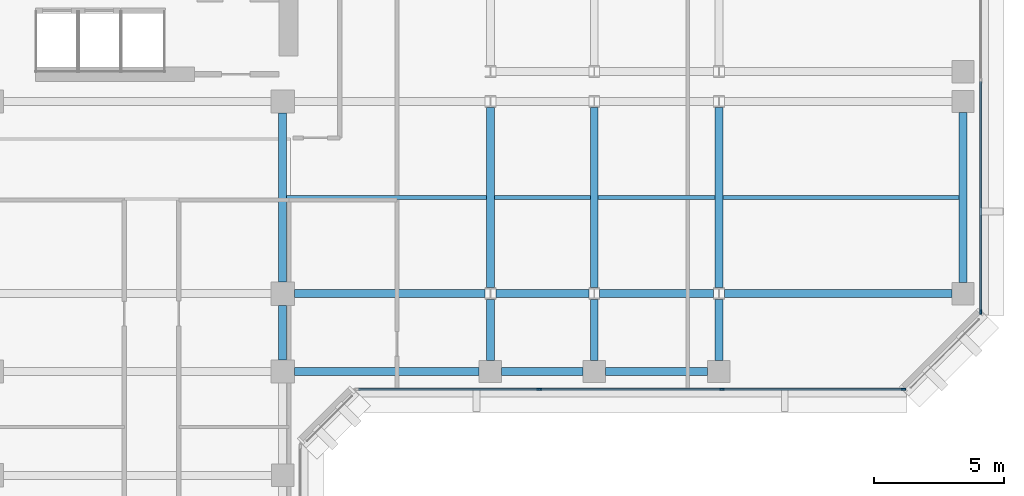
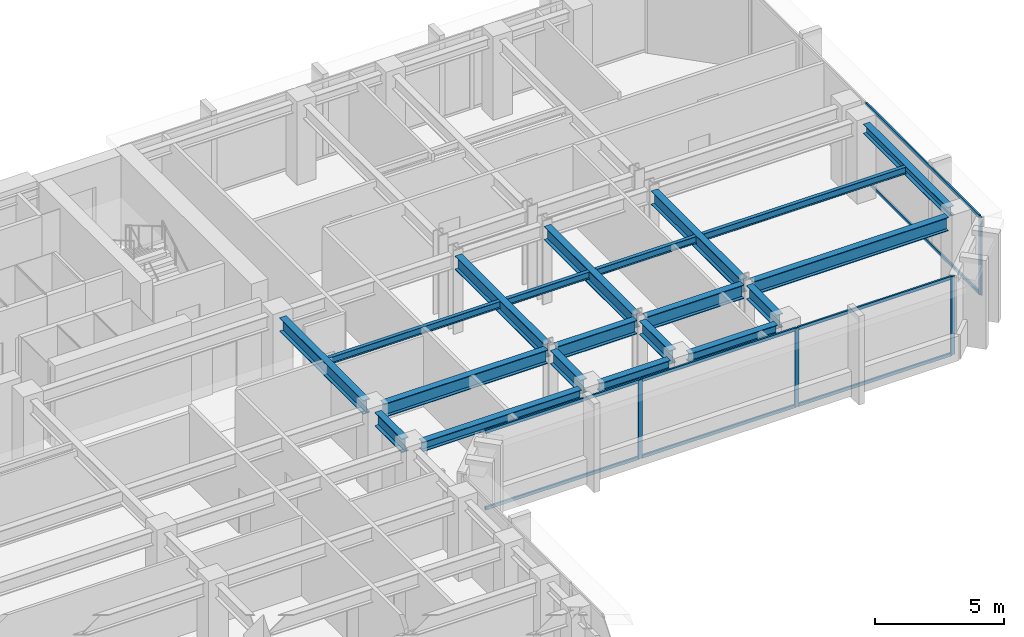
# One storey, part 3 of 11: 20 beams, 12 members, 2 elements without a shape of their own.
"""IFC4 building model written with IfcOpenShell, lengths in metres."""

from ifc_helpers import new_model, si_unit, direction, frame, origin, origin_2d, place, context, subcontext, project, spatial, rectangle, i_section, extrude, material, layer, layer_set, material_profile, profile_set, type_object, element, aggregate, save


model = new_model("IFC4")

# Units and contexts
model_context = context("Model", 3, precision=1e-05, world=origin(), true_north=direction((0.0, 1.0)))
body_context = subcontext(model_context, "Body", "Model", "MODEL_VIEW")
ifc_project = project(units=[si_unit("LENGTHUNIT", "METRE"), si_unit("AREAUNIT", "SQUARE_METRE"), si_unit("VOLUMEUNIT", "CUBIC_METRE"), si_unit("PLANEANGLEUNIT", "RADIAN"), si_unit("MASSUNIT", "GRAM", prefix="KILO")], contexts=[model_context])

# Site, building, storey
site_placement = place(None, origin())
site = spatial("IfcSite", under=ifc_project, at=site_placement, CompositionType="ELEMENT")
building_placement = place(site_placement, origin())
building = spatial("IfcBuilding", under=site, at=building_placement, Name="Kefirva Bronze Tower", CompositionType="ELEMENT")
storey_placement = place(building_placement, frame((0.0, 0.0, 183.47998046875)))
storey = spatial("IfcBuildingStorey", under=building, at=storey_placement, Name="L44", CompositionType="ELEMENT", Elevation=183.47998046875)

# Curtain wall, members
ifc_material_1 = material(Name="Bronze anodised aluminium", Category="aluminium")
ifc_layer = layer(ifc_material_1, 0.199951171875, Name="Bronze anodised aluminium")
ifc_layer_set = layer_set([ifc_layer], Name="Bronze anodised aluminium")
curtain_wall_type = type_object("IfcCurtainWallType", Name="Unitised Bronze Ribbon Curtain Wall Zone 2", PredefinedType="USERDEFINED", material=ifc_layer_set)
curtain_wall_1_placement = place(storey_placement, origin())
curtain_wall_1 = element("IfcCurtainWall", 1, at=curtain_wall_1_placement, inside=storey, type_object=curtain_wall_type, Name="L44 Curtain Wall 2", ObjectType="UNITISED CURTAIN WALL", PredefinedType="USERDEFINED")
ifc_material_profile_1 = material_profile(ifc_material_1, rectangle(XDim=0.074951171875, YDim=0.179931640625, at=origin_2d()), Name="ALU 75x180")
ifc_profile_set_1 = profile_set([ifc_material_profile_1], Name="Bronze anodised aluminium")
member_type_1 = type_object("IfcMemberType", Name="Bronze Mullion 75x180", PredefinedType="MULLION", material=ifc_profile_set_1)
member_1_placement = place(storey_placement, frame((33.0849609375, 22.1201171875, 0.0), z_axis=(0.0, 0.0, 1.0), x_axis=(0.0, 1.0, 0.0)))
member_1 = element("IfcMember", 2, at=member_1_placement, type_object=member_type_1, Name="CW-02 mullion 2", PredefinedType="MULLION", context=body_context, shape_type="SweptSolid", body=[
    extrude(rectangle(XDim=0.074951171875, YDim=0.179931640625, at=origin_2d()), origin(), (0.0, 0.0, 1.0), 3.7099609375),
])
member_2_placement = place(storey_placement, frame((40.114990234375, 22.1201171875, 0.0), z_axis=(0.0, 0.0, 1.0), x_axis=(0.0, 1.0, 0.0)))
member_2 = element("IfcMember", 3, at=member_2_placement, type_object=member_type_1, Name="CW-02 mullion 3", PredefinedType="MULLION", context=body_context, shape_type="SweptSolid", body=[
    extrude(rectangle(XDim=0.074951171875, YDim=0.179931640625, at=origin_2d()), origin(), (0.0, 0.0, 1.0), 3.7099609375),
])
member_3_placement = place(storey_placement, frame((47.107421875, 22.1201171875, 0.0), z_axis=(0.0, 0.0, 1.0), x_axis=(0.0, 1.0, 0.0)))
member_3 = element("IfcMember", 4, at=member_3_placement, type_object=member_type_1, Name="CW-02 mullion 4", PredefinedType="MULLION", context=body_context, shape_type="SweptSolid", body=[
    extrude(rectangle(XDim=0.074951171875, YDim=0.179931640625, at=origin_2d()), origin(), (0.0, 0.0, 1.0), 3.7099609375),
])

# Curtain wall, member
curtain_wall_2_placement = place(storey_placement, origin())
curtain_wall_2 = element("IfcCurtainWall", 5, at=curtain_wall_2_placement, inside=storey, type_object=curtain_wall_type, Name="L44 Curtain Wall 3", ObjectType="UNITISED CURTAIN WALL", PredefinedType="USERDEFINED")
member_4_placement = place(storey_placement, frame((50.080078125, 25.092529296875, 0.0), z_axis=(0.0, 0.0, 1.0), x_axis=(-1.0, 0.0, 0.0)))
member_4 = element("IfcMember", 6, at=member_4_placement, type_object=member_type_1, Name="CW-02 mullion 1", PredefinedType="MULLION", context=body_context, shape_type="SweptSolid", body=[
    extrude(rectangle(XDim=0.074951171875, YDim=0.179931640625, at=origin_2d()), origin(), (0.0, 0.0, 1.0), 3.7099609375),
])

# Member
ifc_material_profile_2 = material_profile(ifc_material_1, rectangle(XDim=0.074951171875, YDim=0.14990234375, at=origin_2d()), Name="ALU 75x150")
ifc_profile_set_2 = profile_set([ifc_material_profile_2], Name="Bronze anodised aluminium")
member_type_2 = type_object("IfcMemberType", Name="Bronze Transom 75x150", PredefinedType="USERDEFINED", material=ifc_profile_set_2)
member_5_placement = place(storey_placement, frame((26.1298828125, 22.1201171875, 0.03759765625), z_axis=(1.0, 0.0, 0.0), x_axis=(0.0, 1.0, 0.0)))
member_5 = element("IfcMember", 7, at=member_5_placement, type_object=member_type_2, Name="CW-02 transom 1.1", ObjectType="TRANSOM", PredefinedType="USERDEFINED", context=body_context, shape_type="SweptSolid", body=[
    extrude(rectangle(XDim=0.074951171875, YDim=0.14990234375, at=origin_2d()), origin(), (0.0, 0.0, 1.0), 6.917724609375),
])

member_6_placement = place(storey_placement, frame((26.1298828125, 22.1201171875, 3.672607421875), z_axis=(1.0, 0.0, 0.0), x_axis=(0.0, 1.0, 0.0)))
member_6 = element("IfcMember", 8, at=member_6_placement, type_object=member_type_2, Name="CW-02 transom 1.2", ObjectType="TRANSOM", PredefinedType="USERDEFINED", context=body_context, shape_type="SweptSolid", body=[
    extrude(rectangle(XDim=0.074951171875, YDim=0.14990234375, at=origin_2d()), origin(), (0.0, 0.0, 1.0), 6.917724609375),
])

member_7_placement = place(storey_placement, frame((33.12255859375, 22.1201171875, 0.03759765625), z_axis=(1.0, 0.0, 0.0), x_axis=(0.0, 1.0, 0.0)))
member_7 = element("IfcMember", 9, at=member_7_placement, type_object=member_type_2, Name="CW-02 transom 2.1", ObjectType="TRANSOM", PredefinedType="USERDEFINED", context=body_context, shape_type="SweptSolid", body=[
    extrude(rectangle(XDim=0.074951171875, YDim=0.14990234375, at=origin_2d()), origin(), (0.0, 0.0, 1.0), 6.954833984375),
])

member_8_placement = place(storey_placement, frame((33.12255859375, 22.1201171875, 3.672607421875), z_axis=(1.0, 0.0, 0.0), x_axis=(0.0, 1.0, 0.0)))
member_8 = element("IfcMember", 10, at=member_8_placement, type_object=member_type_2, Name="CW-02 transom 2.2", ObjectType="TRANSOM", PredefinedType="USERDEFINED", context=body_context, shape_type="SweptSolid", body=[
    extrude(rectangle(XDim=0.074951171875, YDim=0.14990234375, at=origin_2d()), origin(), (0.0, 0.0, 1.0), 6.954833984375),
])

member_9_placement = place(storey_placement, frame((40.152587890625, 22.1201171875, 0.03759765625), z_axis=(1.0, 0.0, 0.0), x_axis=(0.0, 1.0, 0.0)))
member_9 = element("IfcMember", 11, at=member_9_placement, type_object=member_type_2, Name="CW-02 transom 3.1", ObjectType="TRANSOM", PredefinedType="USERDEFINED", context=body_context, shape_type="SweptSolid", body=[
    extrude(rectangle(XDim=0.074951171875, YDim=0.14990234375, at=origin_2d()), origin(), (0.0, 0.0, 1.0), 6.91748046875),
])

member_10_placement = place(storey_placement, frame((40.152587890625, 22.1201171875, 3.672607421875), z_axis=(1.0, 0.0, 0.0), x_axis=(0.0, 1.0, 0.0)))
member_10 = element("IfcMember", 12, at=member_10_placement, type_object=member_type_2, Name="CW-02 transom 3.2", ObjectType="TRANSOM", PredefinedType="USERDEFINED", context=body_context, shape_type="SweptSolid", body=[
    extrude(rectangle(XDim=0.074951171875, YDim=0.14990234375, at=origin_2d()), origin(), (0.0, 0.0, 1.0), 6.91748046875),
])

aggregate(curtain_wall_1, [member_1, member_2, member_3, member_5, member_6, member_7, member_8, member_9, member_10])

member_11_placement = place(storey_placement, frame((50.080078125, 25.1298828125, 0.03759765625), z_axis=(0.0, 1.0, 0.0), x_axis=(-1.0, 0.0, 0.0)))
member_11 = element("IfcMember", 13, at=member_11_placement, type_object=member_type_2, Name="CW-02 transom 1.1", ObjectType="TRANSOM", PredefinedType="USERDEFINED", context=body_context, shape_type="SweptSolid", body=[
    extrude(rectangle(XDim=0.074951171875, YDim=0.14990234375, at=origin_2d()), origin(), (0.0, 0.0, 1.0), 8.83251953125),
])

member_12_placement = place(storey_placement, frame((50.080078125, 25.1298828125, 3.672607421875), z_axis=(0.0, 1.0, 0.0), x_axis=(-1.0, 0.0, 0.0)))
member_12 = element("IfcMember", 14, at=member_12_placement, type_object=member_type_2, Name="CW-02 transom 1.2", ObjectType="TRANSOM", PredefinedType="USERDEFINED", context=body_context, shape_type="SweptSolid", body=[
    extrude(rectangle(XDim=0.074951171875, YDim=0.14990234375, at=origin_2d()), origin(), (0.0, 0.0, 1.0), 8.83251953125),
])

aggregate(curtain_wall_2, [member_4, member_11, member_12])

# Beams
ifc_material_2 = material(Name="Steel S355", Category="steel")
ifc_material_profile_3 = material_profile(ifc_material_2, i_section(OverallWidth=0.159912109375, OverallDepth=0.330078125, WebThickness=0.007568359375, FlangeThickness=0.011474609375, at=origin_2d()), Name="IPE 330")
ifc_profile_set_3 = profile_set([ifc_material_profile_3], Name="Steel S355")
beam_type_1 = type_object("IfcBeamType", Name="Steel Floor Joist IPE 330", PredefinedType="JOIST", material=ifc_profile_set_3)
beam_1_placement = place(storey_placement, frame((23.35009765625, 29.5, 3.544921875), z_axis=(1.0, 0.0, 0.0), x_axis=(0.0, 1.0, 0.0)))
element("IfcBeam", 15, at=beam_1_placement, inside=storey, type_object=beam_type_1, Name="L44 JST-L44-23-295", PredefinedType="JOIST", context=body_context, shape_type="SweptSolid", body=[
    extrude(i_section(OverallWidth=0.159912109375, OverallDepth=0.330078125, WebThickness=0.007568359375, FlangeThickness=0.011474609375, at=origin_2d()), origin(), (0.0, 0.0, 1.0), 7.699951171875),
])
beam_2_placement = place(storey_placement, frame((31.35009765625, 29.5, 3.544921875), z_axis=(1.0, 0.0, 0.0), x_axis=(0.0, 1.0, 0.0)))
element("IfcBeam", 16, at=beam_2_placement, inside=storey, type_object=beam_type_1, Name="L44 JST-L44-31-295", PredefinedType="JOIST", context=body_context, shape_type="SweptSolid", body=[
    extrude(i_section(OverallWidth=0.159912109375, OverallDepth=0.330078125, WebThickness=0.007568359375, FlangeThickness=0.011474609375, at=origin_2d()), origin(), (0.0, 0.0, 1.0), 3.699951171875),
])
beam_3_placement = place(storey_placement, frame((35.35009765625, 29.5, 3.544921875), z_axis=(1.0, 0.0, 0.0), x_axis=(0.0, 1.0, 0.0)))
element("IfcBeam", 17, at=beam_3_placement, inside=storey, type_object=beam_type_1, Name="L44 JST-L44-35-295", PredefinedType="JOIST", context=body_context, shape_type="SweptSolid", body=[
    extrude(i_section(OverallWidth=0.159912109375, OverallDepth=0.330078125, WebThickness=0.007568359375, FlangeThickness=0.011474609375, at=origin_2d()), origin(), (0.0, 0.0, 1.0), 4.5),
])
beam_4_placement = place(storey_placement, frame((40.14990234375, 29.5, 3.544921875), z_axis=(1.0, 0.0, 0.0), x_axis=(0.0, 1.0, 0.0)))
element("IfcBeam", 18, at=beam_4_placement, inside=storey, type_object=beam_type_1, Name="L44 JST-L44-40-295", PredefinedType="JOIST", context=body_context, shape_type="SweptSolid", body=[
    extrude(i_section(OverallWidth=0.159912109375, OverallDepth=0.330078125, WebThickness=0.007568359375, FlangeThickness=0.011474609375, at=origin_2d()), origin(), (0.0, 0.0, 1.0), 9.10009765625),
])
ifc_material_profile_4 = material_profile(ifc_material_2, i_section(OverallWidth=0.300048828125, OverallDepth=0.64990234375, WebThickness=0.01611328125, FlangeThickness=0.031005859375, at=origin_2d()), Name="HEB 650")
ifc_profile_set_4 = profile_set([ifc_material_profile_4], Name="Steel S355")
beam_type_2 = type_object("IfcBeamType", Name="Steel Girder HEB 650", PredefinedType="USERDEFINED", material=ifc_profile_set_4)
beam_5_placement = place(storey_placement, frame((23.64990234375, 25.800048828125, 3.385009765625), z_axis=(1.0, 0.0, 0.0), x_axis=(0.0, 1.0, 0.0)))
element("IfcBeam", 19, at=beam_5_placement, inside=storey, type_object=beam_type_2, Name="L44 BM-L44-EW-23-258", ObjectType="GIRDER", PredefinedType="USERDEFINED", context=body_context, shape_type="SweptSolid", body=[
    extrude(i_section(OverallWidth=0.300048828125, OverallDepth=0.64990234375, WebThickness=0.01611328125, FlangeThickness=0.031005859375, at=origin_2d()), origin(), (0.0, 0.0, 1.0), 7.341064453125),
])
beam_6_placement = place(storey_placement, frame((31.408935546875, 25.800048828125, 3.385009765625), z_axis=(1.0, 0.0, 0.0), x_axis=(0.0, 1.0, 0.0)))
element("IfcBeam", 20, at=beam_6_placement, inside=storey, type_object=beam_type_2, Name="L44 BM-L44-EW-31-258", ObjectType="GIRDER", PredefinedType="USERDEFINED", context=body_context, shape_type="SweptSolid", body=[
    extrude(i_section(OverallWidth=0.300048828125, OverallDepth=0.64990234375, WebThickness=0.01611328125, FlangeThickness=0.031005859375, at=origin_2d()), origin(), (0.0, 0.0, 1.0), 3.58203125),
])
beam_7_placement = place(storey_placement, frame((35.408935546875, 25.800048828125, 3.385009765625), z_axis=(1.0, 0.0, 0.0), x_axis=(0.0, 1.0, 0.0)))
element("IfcBeam", 21, at=beam_7_placement, inside=storey, type_object=beam_type_2, Name="L44 BM-L44-EW-35-258", ObjectType="GIRDER", PredefinedType="USERDEFINED", context=body_context, shape_type="SweptSolid", body=[
    extrude(i_section(OverallWidth=0.300048828125, OverallDepth=0.64990234375, WebThickness=0.01611328125, FlangeThickness=0.031005859375, at=origin_2d()), origin(), (0.0, 0.0, 1.0), 4.382080078125),
])
beam_8_placement = place(storey_placement, frame((40.208984375, 25.800048828125, 3.385009765625), z_axis=(1.0, 0.0, 0.0), x_axis=(0.0, 1.0, 0.0)))
element("IfcBeam", 22, at=beam_8_placement, inside=storey, type_object=beam_type_2, Name="L44 BM-L44-EW-40-258", ObjectType="GIRDER", PredefinedType="USERDEFINED", context=body_context, shape_type="SweptSolid", body=[
    extrude(i_section(OverallWidth=0.300048828125, OverallDepth=0.64990234375, WebThickness=0.01611328125, FlangeThickness=0.031005859375, at=origin_2d()), origin(), (0.0, 0.0, 1.0), 8.760986328125),
])
beam_9_placement = place(storey_placement, frame((23.199951171875, 23.25, 3.385009765625), z_axis=(0.0, 1.0, 0.0), x_axis=(-1.0, 0.0, 0.0)))
element("IfcBeam", 23, at=beam_9_placement, inside=storey, type_object=beam_type_2, Name="L44 BM-L44-NS-232-22", ObjectType="GIRDER", PredefinedType="USERDEFINED", context=body_context, shape_type="SweptSolid", body=[
    extrude(i_section(OverallWidth=0.300048828125, OverallDepth=0.64990234375, WebThickness=0.01611328125, FlangeThickness=0.031005859375, at=origin_2d()), origin(), (0.0, 0.0, 1.0), 2.10009765625),
])
beam_10_placement = place(storey_placement, frame((23.199951171875, 26.25, 3.385009765625), z_axis=(0.0, 1.0, 0.0), x_axis=(-1.0, 0.0, 0.0)))
element("IfcBeam", 24, at=beam_10_placement, inside=storey, type_object=beam_type_2, Name="L44 BM-L44-NS-232-25", ObjectType="GIRDER", PredefinedType="USERDEFINED", context=body_context, shape_type="SweptSolid", body=[
    extrude(i_section(OverallWidth=0.300048828125, OverallDepth=0.64990234375, WebThickness=0.01611328125, FlangeThickness=0.031005859375, at=origin_2d()), origin(), (0.0, 0.0, 1.0), 6.5),
])
beam_11_placement = place(storey_placement, frame((31.199951171875, 23.22998046875, 3.385009765625), z_axis=(0.0, 1.0, 0.0), x_axis=(-1.0, 0.0, 0.0)))
element("IfcBeam", 25, at=beam_11_placement, inside=storey, type_object=beam_type_2, Name="L44 BM-L44-NS-312-22", ObjectType="GIRDER", PredefinedType="USERDEFINED", context=body_context, shape_type="SweptSolid", body=[
    extrude(i_section(OverallWidth=0.300048828125, OverallDepth=0.64990234375, WebThickness=0.01611328125, FlangeThickness=0.031005859375, at=origin_2d()), origin(), (0.0, 0.0, 1.0), 2.342529296875),
])
beam_12_placement = place(storey_placement, frame((31.199951171875, 26.027587890625, 3.385009765625), z_axis=(0.0, 1.0, 0.0), x_axis=(-1.0, 0.0, 0.0)))
element("IfcBeam", 26, at=beam_12_placement, inside=storey, type_object=beam_type_2, Name="L44 BM-L44-NS-312-25", ObjectType="GIRDER", PredefinedType="USERDEFINED", context=body_context, shape_type="SweptSolid", body=[
    extrude(i_section(OverallWidth=0.300048828125, OverallDepth=0.64990234375, WebThickness=0.01611328125, FlangeThickness=0.031005859375, at=origin_2d()), origin(), (0.0, 0.0, 1.0), 6.94482421875),
])
beam_13_placement = place(storey_placement, frame((35.199951171875, 23.22998046875, 3.385009765625), z_axis=(0.0, 1.0, 0.0), x_axis=(-1.0, 0.0, 0.0)))
element("IfcBeam", 27, at=beam_13_placement, inside=storey, type_object=beam_type_2, Name="L44 BM-L44-NS-352-22", ObjectType="GIRDER", PredefinedType="USERDEFINED", context=body_context, shape_type="SweptSolid", body=[
    extrude(i_section(OverallWidth=0.300048828125, OverallDepth=0.64990234375, WebThickness=0.01611328125, FlangeThickness=0.031005859375, at=origin_2d()), origin(), (0.0, 0.0, 1.0), 2.342529296875),
])
beam_14_placement = place(storey_placement, frame((35.199951171875, 26.027587890625, 3.385009765625), z_axis=(0.0, 1.0, 0.0), x_axis=(-1.0, 0.0, 0.0)))
element("IfcBeam", 28, at=beam_14_placement, inside=storey, type_object=beam_type_2, Name="L44 BM-L44-NS-352-25", ObjectType="GIRDER", PredefinedType="USERDEFINED", context=body_context, shape_type="SweptSolid", body=[
    extrude(i_section(OverallWidth=0.300048828125, OverallDepth=0.64990234375, WebThickness=0.01611328125, FlangeThickness=0.031005859375, at=origin_2d()), origin(), (0.0, 0.0, 1.0), 6.94482421875),
])
beam_15_placement = place(storey_placement, frame((40.0, 23.22998046875, 3.385009765625), z_axis=(0.0, 1.0, 0.0), x_axis=(-1.0, 0.0, 0.0)))
element("IfcBeam", 29, at=beam_15_placement, inside=storey, type_object=beam_type_2, Name="L44 BM-L44-NS-400-22", ObjectType="GIRDER", PredefinedType="USERDEFINED", context=body_context, shape_type="SweptSolid", body=[
    extrude(i_section(OverallWidth=0.300048828125, OverallDepth=0.64990234375, WebThickness=0.01611328125, FlangeThickness=0.031005859375, at=origin_2d()), origin(), (0.0, 0.0, 1.0), 2.342529296875),
])
beam_16_placement = place(storey_placement, frame((40.0, 26.027587890625, 3.385009765625), z_axis=(0.0, 1.0, 0.0), x_axis=(-1.0, 0.0, 0.0)))
element("IfcBeam", 30, at=beam_16_placement, inside=storey, type_object=beam_type_2, Name="L44 BM-L44-NS-400-25", ObjectType="GIRDER", PredefinedType="USERDEFINED", context=body_context, shape_type="SweptSolid", body=[
    extrude(i_section(OverallWidth=0.300048828125, OverallDepth=0.64990234375, WebThickness=0.01611328125, FlangeThickness=0.031005859375, at=origin_2d()), origin(), (0.0, 0.0, 1.0), 6.94482421875),
])
ifc_material_profile_5 = material_profile(ifc_material_2, i_section(OverallWidth=0.300048828125, OverallDepth=0.449951171875, WebThickness=0.013916015625, FlangeThickness=0.02587890625, at=origin_2d()), Name="HEB 450")
ifc_profile_set_5 = profile_set([ifc_material_profile_5], Name="Steel S355")
beam_type_3 = type_object("IfcBeamType", Name="Steel Spandrel HEB 450 Ext", PredefinedType="SPANDREL", material=ifc_profile_set_5)
beam_17_placement = place(storey_placement, frame((23.64990234375, 22.800048828125, 3.485107421875), z_axis=(1.0, 0.0, 0.0), x_axis=(0.0, 1.0, 0.0)))
element("IfcBeam", 31, at=beam_17_placement, inside=storey, type_object=beam_type_3, Name="L44 BM-L44-EW-23-228", PredefinedType="SPANDREL", context=body_context, shape_type="SweptSolid", body=[
    extrude(i_section(OverallWidth=0.300048828125, OverallDepth=0.449951171875, WebThickness=0.013916015625, FlangeThickness=0.02587890625, at=origin_2d()), origin(), (0.0, 0.0, 1.0), 7.1201171875),
])
beam_18_placement = place(storey_placement, frame((31.6298828125, 22.800048828125, 3.485107421875), z_axis=(1.0, 0.0, 0.0), x_axis=(0.0, 1.0, 0.0)))
element("IfcBeam", 32, at=beam_18_placement, inside=storey, type_object=beam_type_3, Name="L44 BM-L44-EW-31-228", PredefinedType="SPANDREL", context=body_context, shape_type="SweptSolid", body=[
    extrude(i_section(OverallWidth=0.300048828125, OverallDepth=0.449951171875, WebThickness=0.013916015625, FlangeThickness=0.02587890625, at=origin_2d()), origin(), (0.0, 0.0, 1.0), 3.14013671875),
])
beam_19_placement = place(storey_placement, frame((35.6298828125, 22.800048828125, 3.485107421875), z_axis=(1.0, 0.0, 0.0), x_axis=(0.0, 1.0, 0.0)))
element("IfcBeam", 33, at=beam_19_placement, inside=storey, type_object=beam_type_3, Name="L44 BM-L44-EW-35-228", PredefinedType="SPANDREL", context=body_context, shape_type="SweptSolid", body=[
    extrude(i_section(OverallWidth=0.300048828125, OverallDepth=0.449951171875, WebThickness=0.013916015625, FlangeThickness=0.02587890625, at=origin_2d()), origin(), (0.0, 0.0, 1.0), 3.940185546875),
])
beam_20_placement = place(storey_placement, frame((49.39990234375, 26.22998046875, 3.485107421875), z_axis=(0.0, 1.0, 0.0), x_axis=(-1.0, 0.0, 0.0)))
element("IfcBeam", 34, at=beam_20_placement, inside=storey, type_object=beam_type_3, Name="L44 BM-L44-NS-494-25", PredefinedType="SPANDREL", context=body_context, shape_type="SweptSolid", body=[
    extrude(i_section(OverallWidth=0.300048828125, OverallDepth=0.449951171875, WebThickness=0.013916015625, FlangeThickness=0.02587890625, at=origin_2d()), origin(), (0.0, 0.0, 1.0), 6.5400390625),
])

save(model, "model.ifc")
